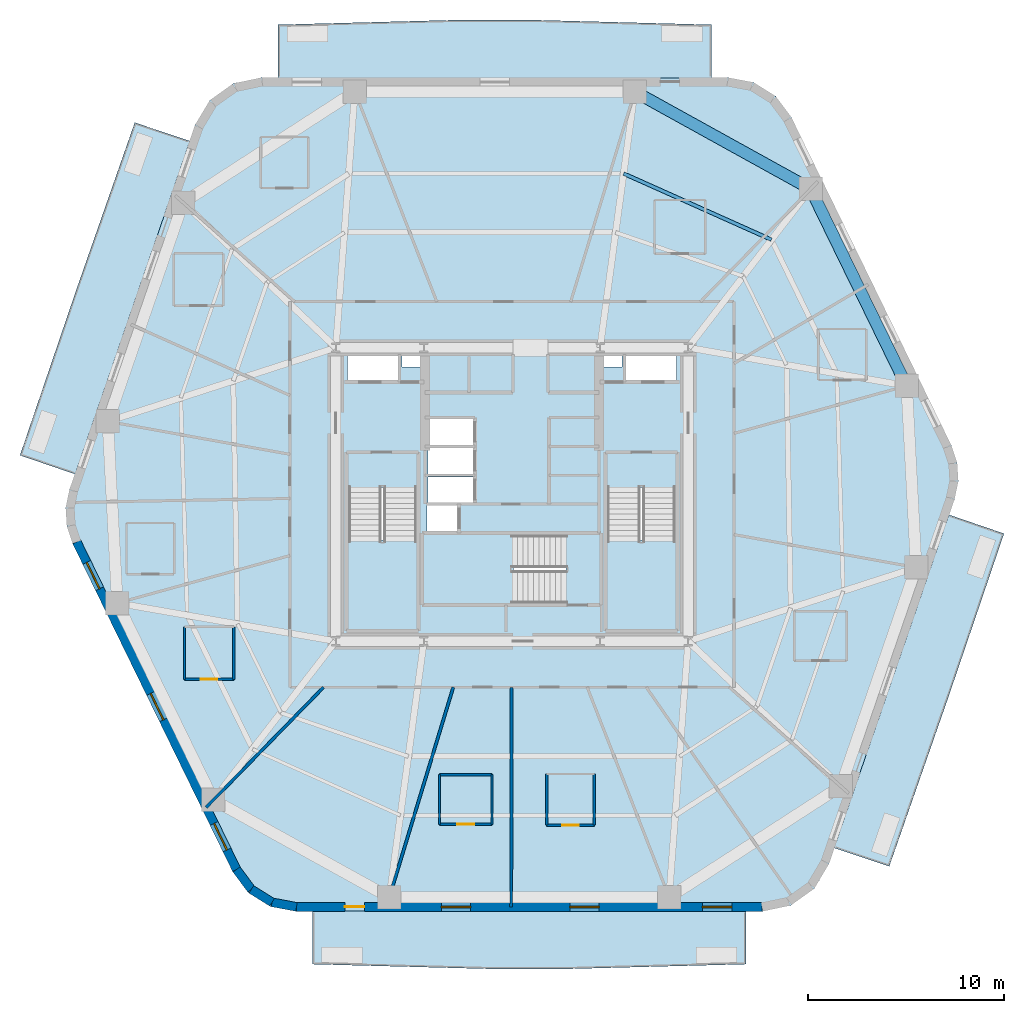
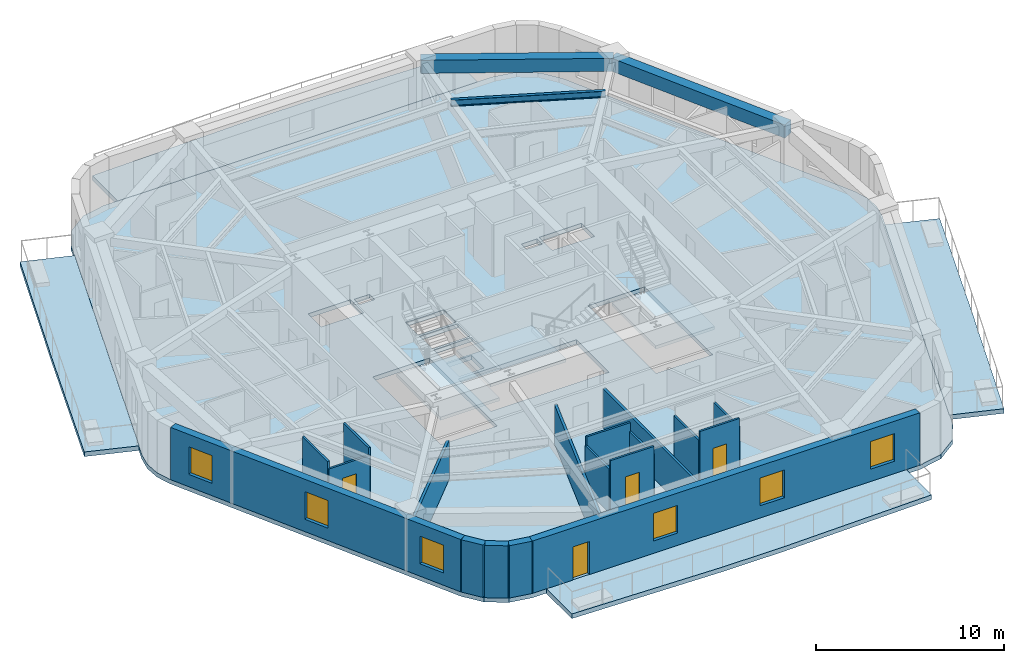
# One storey, part 2 of 8: 18 walls, 8 slabs, 6 windows, 4 doors, 3 beams, 10 openings, 3 elements without a shape of their own.
"""IFC4 building model written with IfcOpenShell, lengths in metres."""

from ifc_helpers import new_model, si_unit, direction, frame, frame_2d, origin, origin_2d, place, context, subcontext, project, spatial, polyline, rectangle, i_section, outline, extrude, material, layer, layer_set, material_profile, profile_set, type_object, element, fill, aggregate, save


model = new_model("IFC4")

# Units and contexts
model_context = context("Model", 3, precision=1e-05, world=origin(), true_north=direction((0.0, 1.0)))
body_context = subcontext(model_context, "Body", "Model", "MODEL_VIEW")
ifc_project = project(units=[si_unit("LENGTHUNIT", "METRE"), si_unit("AREAUNIT", "SQUARE_METRE"), si_unit("VOLUMEUNIT", "CUBIC_METRE"), si_unit("PLANEANGLEUNIT", "RADIAN"), si_unit("MASSUNIT", "GRAM", prefix="KILO")], contexts=[model_context])

# Site, building, storey
site_placement = place(None, origin())
site = spatial("IfcSite", under=ifc_project, at=site_placement, CompositionType="ELEMENT")
building_placement = place(site_placement, origin())
building = spatial("IfcBuilding", under=site, at=building_placement, Name="Kilnhurst Terrace Hotel", CompositionType="ELEMENT")
storey_placement = place(building_placement, frame((0.0, 0.0, 102.5)))
storey = spatial("IfcBuildingStorey", under=building, at=storey_placement, Name="L24", CompositionType="ELEMENT", Elevation=102.5)

# Beams
ifc_material_1 = material(Name="Concrete C50/60", Category="concrete")
ifc_material_profile_1 = material_profile(ifc_material_1, rectangle(XDim=0.60009765625, YDim=0.85009765625, at=origin_2d()), Name="RC600X850")
ifc_profile_set_1 = profile_set([ifc_material_profile_1], Name="Concrete C50/60")
beam_type_1 = type_object("IfcBeamType", Name="BM-SPN-600X850", PredefinedType="SPANDREL", material=ifc_profile_set_1)
beam_1_placement = place(storey_placement, frame((20.1640625, 5.549072265625, 2.97509765625), z_axis=(-0.438406012271, 0.89877704043, 0.0), x_axis=(-0.89877704043, -0.438406012271, 0.0)))
element("IfcBeam", 1, at=beam_1_placement, inside=storey, type_object=beam_type_1, Name="L24 Perimeter Spandrel Beam 5", PredefinedType="SPANDREL", context=body_context, shape_type="SweptSolid", body=[
    extrude(rectangle(XDim=0.60009765625, YDim=0.85009765625, at=origin_2d()), origin(), (0.0, 0.0, 1.0), 11.19287109375),
])
beam_2_placement = place(storey_placement, frame((15.257080078125, 15.60888671875, 2.97509765625), z_axis=(-0.875094010429, 0.483952965598, 0.0), x_axis=(-0.483952965598, -0.875094010429, 0.0)))
element("IfcBeam", 2, at=beam_2_placement, inside=storey, type_object=beam_type_1, Name="L24 Perimeter Spandrel Beam 6", PredefinedType="SPANDREL", context=body_context, shape_type="SweptSolid", body=[
    extrude(rectangle(XDim=0.60009765625, YDim=0.85009765625, at=origin_2d()), origin(), (0.0, 0.0, 1.0), 10.27197265625),
])
ifc_material_2 = material(Name="Steel ASTM A992 Grade 50", Category="steel")
ifc_material_profile_2 = material_profile(ifc_material_2, i_section(OverallWidth=0.180908203125, OverallDepth=0.417236328125, WebThickness=0.010986328125, FlangeThickness=0.018310546875, at=origin_2d()), Name="W16X57")
ifc_profile_set_2 = profile_set([ifc_material_profile_2], Name="Steel ASTM A992 Grade 50")
beam_type_2 = type_object("IfcBeamType", Name="JST-STL-W16X57", PredefinedType="JOIST", material=ifc_profile_set_2)
beam_3_placement = place(storey_placement, frame((13.2548828125, 13.01416015625, 3.19091796875), z_axis=(-0.912760935806, 0.408494154262, 0.0), x_axis=(-0.408494154262, -0.912760935806, 0.0)))
element("IfcBeam", 3, at=beam_3_placement, inside=storey, type_object=beam_type_2, Name="L24 Secondary Floor Steel Joist OUT.6", PredefinedType="JOIST", context=body_context, shape_type="SweptSolid", body=[
    extrude(i_section(OverallWidth=0.180908203125, OverallDepth=0.417236328125, WebThickness=0.010986328125, FlangeThickness=0.018310546875, at=origin_2d()), origin(), (0.0, 0.0, 1.0), 8.274658203125),
])

# Slabs
ifc_layer_1 = layer(ifc_material_1, 0.300048828125, Name="Concrete C50/60")
ifc_layer_set_1 = layer_set([ifc_layer_1], Name="Concrete C50/60")
slab_type_1 = type_object("IfcSlabType", Name="SLB-BAL-300", PredefinedType="FLOOR", material=ifc_layer_set_1)
slab_1_placement = place(storey_placement, frame((0.0, 0.0, -0.300048828125)))
element("IfcSlab", 4, at=slab_1_placement, inside=storey, type_object=slab_type_1, Name="L24 Cantilevered Planted Terrace Slab BAL-L1A", PredefinedType="FLOOR", context=body_context, shape_type="SweptSolid", body=[
    extrude(outline(polyline([(2.787841796875, -24.239990234375), (-1.027099609375, -24.239990234375), (-10.18310546875, -24.0), (-10.18310546875, -21.280029296875), (11.943603515625, -21.280029296875), (11.943603515625, -24.0), (2.787841796875, -24.239990234375)])), origin(), (0.0, 0.0, 1.0), 0.300048828125),
])
slab_2_placement = place(storey_placement, frame((0.0, 0.0, -0.300048828125)))
element("IfcSlab", 5, at=slab_2_placement, inside=storey, type_object=slab_type_1, Name="L24 Cantilevered Planted Terrace Slab BAL-L1B", PredefinedType="FLOOR", context=body_context, shape_type="SweptSolid", body=[
    extrude(outline(polyline([(19.273193359375, -19.0), (16.45751953125, -18.05615234375), (22.319091796875, -1.03466796875), (25.13623046875, -2.0), (22.233154296875, -10.52880859375), (19.273193359375, -19.0)])), origin(), (0.0, 0.0, 1.0), 0.300048828125),
])
slab_3_placement = place(storey_placement, frame((0.0, 0.0, -0.300048828125)))
element("IfcSlab", 6, at=slab_3_placement, inside=storey, type_object=slab_type_1, Name="L24 Cantilevered Planted Terrace Slab BAL-L2A", PredefinedType="FLOOR", context=body_context, shape_type="SweptSolid", body=[
    extrude(outline(polyline([(1.027099609375, 24.239990234375), (10.18310546875, 24.0), (10.18310546875, 21.280029296875), (-11.943603515625, 21.280029296875), (-11.943603515625, 24.0), (-2.787841796875, 24.239990234375), (1.027099609375, 24.239990234375)])), origin(), (0.0, 0.0, 1.0), 0.300048828125),
])
slab_4_placement = place(storey_placement, frame((0.0, 0.0, -0.300048828125)))
element("IfcSlab", 7, at=slab_4_placement, inside=storey, type_object=slab_type_1, Name="L24 Cantilevered Planted Terrace Slab BAL-L2B", PredefinedType="FLOOR", context=body_context, shape_type="SweptSolid", body=[
    extrude(outline(polyline([(-19.273193359375, 19.0), (-16.45751953125, 18.05615234375), (-22.319091796875, 1.03466796875), (-25.13623046875, 2.0), (-22.233154296875, 10.52880859375), (-19.273193359375, 19.0)])), origin(), (0.0, 0.0, 1.0), 0.300048828125),
])
ifc_layer_2 = layer(ifc_material_1, 0.280029296875, Name="Concrete C50/60")
ifc_layer_set_2 = layer_set([ifc_layer_2], Name="Concrete C50/60")
slab_type_2 = type_object("IfcSlabType", Name="SLB-FLR-280", PredefinedType="FLOOR", material=ifc_layer_set_2)
slab_5_placement = place(storey_placement, frame((0.0, 0.0, -0.280029296875)))
element("IfcSlab", 8, at=slab_5_placement, inside=storey, type_object=slab_type_2, Name="L24 Structural Floor Slab", PredefinedType="FLOOR", context=body_context, shape_type="SweptSolid", body=[
    extrude(outline(polyline([(-14.2685546875, -19.2783203125), (-13.472900390625, -20.34716796875), (-12.342529296875, -21.05322265625), (-11.032958984375, -21.300048828125), (12.793701171875, -21.300048828125), (14.23876953125, -20.997314453125), (15.44091796875, -20.139892578125), (16.197509765625, -18.872314453125), (22.614501953125, -0.238525390625), (22.8017578125, 0.6826171875), (22.744384765625, 1.62060546875), (22.4462890625, 2.51171875), (14.2685546875, 19.2783203125), (13.472900390625, 20.34716796875), (12.342529296875, 21.05322265625), (11.032958984375, 21.300048828125), (-12.793701171875, 21.300048828125), (-14.23876953125, 20.997314453125), (-15.44091796875, 20.139892578125), (-16.197509765625, 18.872314453125), (-22.614501953125, 0.238525390625), (-22.8017578125, -0.6826171875), (-22.744384765625, -1.62060546875), (-22.4462890625, -2.51171875), (-14.2685546875, -19.2783203125)]), holes=[polyline([(-8.35009765625, 0.35498046875), (-4.8798828125, 0.35498046875), (-4.8798828125, -6.89990234375), (-8.35009765625, -6.89990234375), (-8.35009765625, 0.35498046875)]), polyline([(-2.800048828125, -1.89990234375), (-4.35009765625, -1.89990234375), (-4.35009765625, -0.550048828125), (-2.800048828125, -0.550048828125), (-2.800048828125, -1.89990234375)]), polyline([(-1.949951171875, -0.429931640625), (-4.300048828125, -0.429931640625), (-4.300048828125, 0.89990234375), (-1.949951171875, 0.89990234375), (-1.949951171875, -0.429931640625)]), polyline([(-4.300048828125, 1.050048828125), (-4.300048828125, 2.3798828125), (-1.949951171875, 2.3798828125), (-1.949951171875, 1.050048828125), (-4.300048828125, 1.050048828125)]), polyline([(-8.39990234375, 5.75), (-8.39990234375, 7.14990234375), (-5.800048828125, 7.14990234375), (-5.800048828125, 5.75), (-8.39990234375, 5.75)]), polyline([(-4.659912109375, 6.52001953125), (-5.6201171875, 6.52001953125), (-5.6201171875, 7.080078125), (-4.659912109375, 7.080078125), (-4.659912109375, 6.52001953125)]), polyline([(2.7548828125, -5.550048828125), (-4.5, -5.550048828125), (-4.5, -2.080078125), (2.7548828125, -2.080078125), (2.7548828125, -5.550048828125)]), polyline([(8.35009765625, 0.35498046875), (8.35009765625, -6.89990234375), (4.8798828125, -6.89990234375), (4.8798828125, 0.35498046875), (8.35009765625, 0.35498046875)]), polyline([(-1.949951171875, 2.530029296875), (-4.300048828125, 2.530029296875), (-4.300048828125, 3.860107421875), (-1.949951171875, 3.860107421875), (-1.949951171875, 2.530029296875)]), polyline([(5.800048828125, 5.75), (5.800048828125, 7.14990234375), (8.39990234375, 7.14990234375), (8.39990234375, 5.75), (5.800048828125, 5.75)]), polyline([(4.659912109375, 6.52001953125), (4.659912109375, 7.080078125), (5.6201171875, 7.080078125), (5.6201171875, 6.52001953125), (4.659912109375, 6.52001953125)])]), origin(), (0.0, 0.0, 1.0), 0.280029296875),
])

# Stair, slab
stair_type = type_object("IfcStairType", Name="STR-CORE-1660", PredefinedType="HALF_TURN_STAIR", material=ifc_material_1)
stair_1_placement = place(storey_placement, origin())
stair_1 = element("IfcStair", 9, at=stair_1_placement, inside=storey, type_object=stair_type, Name="L24 ST-1", PredefinedType="HALF_TURN_STAIR")
ifc_layer_3 = layer(ifc_material_1, 0.199951171875, Name="Concrete C50/60")
ifc_layer_set_3 = layer_set([ifc_layer_3], Name="Concrete C50/60")
slab_type_3 = type_object("IfcSlabType", Name="SLB-ST-LND-200", PredefinedType="LANDING", material=ifc_layer_set_3)
slab_6_placement = place(storey_placement, frame((0.0, 0.0, 1.64990234375)))
slab_6 = element("IfcSlab", 10, at=slab_6_placement, type_object=slab_type_3, Name="ST-1 landing 1", PredefinedType="LANDING", context=body_context, shape_type="SweptSolid", body=[
    extrude(outline(polyline([(-8.429931640625, -2.330078125), (-4.800048828125, -2.330078125), (-4.800048828125, -6.97998046875), (-8.429931640625, -6.97998046875), (-8.429931640625, -2.330078125)])), origin(), (0.0, 0.0, 1.0), 0.2001953125),
])
aggregate(stair_1, [slab_6])

stair_2_placement = place(storey_placement, origin())
stair_2 = element("IfcStair", 11, at=stair_2_placement, inside=storey, type_object=stair_type, Name="L24 ST-2", PredefinedType="HALF_TURN_STAIR")
slab_7_placement = place(storey_placement, frame((0.0, 0.0, 1.64990234375)))
slab_7 = element("IfcSlab", 12, at=slab_7_placement, type_object=slab_type_3, Name="ST-2 landing 1", PredefinedType="LANDING", context=body_context, shape_type="SweptSolid", body=[
    extrude(outline(polyline([(4.800048828125, -2.330078125), (8.429931640625, -2.330078125), (8.429931640625, -6.97998046875), (4.800048828125, -6.97998046875), (4.800048828125, -2.330078125)])), origin(), (0.0, 0.0, 1.0), 0.2001953125),
])
aggregate(stair_2, [slab_7])

stair_3_placement = place(storey_placement, origin())
stair_3 = element("IfcStair", 13, at=stair_3_placement, inside=storey, type_object=stair_type, Name="L24 ST-3", PredefinedType="HALF_TURN_STAIR")
slab_8_placement = place(storey_placement, frame((0.0, 0.0, 1.64990234375)))
slab_8 = element("IfcSlab", 14, at=slab_8_placement, type_object=slab_type_3, Name="ST-3 landing 1", PredefinedType="LANDING", context=body_context, shape_type="SweptSolid", body=[
    extrude(outline(polyline([(0.070068359375, -2.0), (0.070068359375, -5.6298828125), (-4.580078125, -5.6298828125), (-4.580078125, -2.0), (0.070068359375, -2.0)])), origin(), (0.0, 0.0, 1.0), 0.2001953125),
])
aggregate(stair_3, [slab_8])

# Walls
ifc_material_3 = material(Name="Precast concrete C40/50", Category="concrete")
ifc_layer_4 = layer(ifc_material_3, 0.449951171875, Name="Precast concrete C40/50")
ifc_layer_set_4 = layer_set([ifc_layer_4], Name="Precast concrete C40/50")
wall_type_1 = type_object("IfcWallType", Name="WL-BRK-450", PredefinedType="SOLIDWALL", material=ifc_layer_set_4)
wall_1_placement = place(storey_placement, frame((-14.07568359375, -19.16064453125, 0.0), z_axis=(0.0, 0.0, 1.0), x_axis=(0.597226657159, -0.802072515412, 0.0)))
element("IfcWall", 15, at=wall_1_placement, inside=storey, type_object=wall_type_1, Name="L24 Rounded Corner Brick Wall C1.1", PredefinedType="SOLIDWALL", context=body_context, shape_type="SweptSolid", body=[
    extrude(rectangle(XDim=1.269287109375, YDim=0.449951171875, at=frame_2d((0.634765625, 0.0))), origin(), (0.0, 0.0, 1.0), 3.39990234375),
])
wall_2_placement = place(storey_placement, frame((-13.317626953125, -20.1787109375, 0.0), z_axis=(0.0, 0.0, 1.0), x_axis=(0.848031272749, -0.529946186362, 0.0)))
element("IfcWall", 16, at=wall_2_placement, inside=storey, type_object=wall_type_1, Name="L24 Rounded Corner Brick Wall C1.2", PredefinedType="SOLIDWALL", context=body_context, shape_type="SweptSolid", body=[
    extrude(rectangle(XDim=1.248046875, YDim=0.449951171875, at=frame_2d((0.6240234375, 0.0))), origin(), (0.0, 0.0, 1.0), 3.39990234375),
])
wall_3_placement = place(storey_placement, frame((-12.25927734375, -20.840087890625, 0.0), z_axis=(0.0, 0.0, 1.0), x_axis=(0.982730354425, -0.185043374624, 0.0)))
element("IfcWall", 17, at=wall_3_placement, inside=storey, type_object=wall_type_1, Name="L24 Rounded Corner Brick Wall C1.3", PredefinedType="SOLIDWALL", context=body_context, shape_type="SweptSolid", body=[
    extrude(rectangle(XDim=1.269287109375, YDim=0.449951171875, at=frame_2d((0.634765625, 0.0))), origin(), (0.0, 0.0, 1.0), 3.39990234375),
])

# Wall, openings, door, windows
wall_4_placement = place(storey_placement, frame((-11.011962890625, -21.074951171875, 0.0), z_axis=(0.0, 0.0, 1.0), x_axis=(1.0, 0.0, 0.0)))
wall_4 = element("IfcWall", 18, at=wall_4_placement, inside=storey, type_object=wall_type_1, Name="L24 Exterior Brick Facade Wall F1", PredefinedType="SOLIDWALL", context=body_context, shape_type="SweptSolid", body=[
    extrude(rectangle(XDim=23.782470703125, YDim=0.449951171875, at=frame_2d((11.89111328125, 0.0))), origin(), (0.0, 0.0, 1.0), 3.39990234375),
])
opening_1_placement = place(wall_4_placement, frame((2.472900390625, 0.0, 0.0)))
opening_1 = element("IfcOpeningElement", 19, at=opening_1_placement, cuts=wall_4, Name="Opening BD-1000", PredefinedType="OPENING", context=body_context, shape_type="SweptSolid", body=[
    extrude(rectangle(XDim=1.0, YDim=2.14990234375, at=frame_2d((0.5, 1.074951171875))), frame((0.0, 0.23486328125, 0.0), z_axis=(0.0, -1.0, 0.0), x_axis=(1.0, 0.0, 0.0)), (0.0, 0.0, 1.0), 0.469970703125),
])
opening_2_placement = place(wall_4_placement, frame((7.39794921875, 0.0, 0.800048828125)))
opening_2 = element("IfcOpeningElement", 20, at=opening_2_placement, cuts=wall_4, Name="Opening W-02", PredefinedType="OPENING", context=body_context, shape_type="SweptSolid", body=[
    extrude(rectangle(XDim=1.5, YDim=1.800048828125, at=frame_2d((0.75, 0.89990234375))), frame((0.0, 0.23486328125, 0.0), z_axis=(0.0, -1.0, 0.0), x_axis=(1.0, 0.0, 0.0)), (0.0, 0.0, 1.0), 0.469970703125),
])
opening_3_placement = place(wall_4_placement, frame((13.966064453125, 0.0, 0.800048828125)))
opening_3 = element("IfcOpeningElement", 21, at=opening_3_placement, cuts=wall_4, Name="Opening W-02", PredefinedType="OPENING", context=body_context, shape_type="SweptSolid", body=[
    extrude(rectangle(XDim=1.5, YDim=1.800048828125, at=frame_2d((0.75, 0.89990234375))), frame((0.0, 0.23486328125, 0.0), z_axis=(0.0, -1.0, 0.0), x_axis=(1.0, 0.0, 0.0)), (0.0, 0.0, 1.0), 0.469970703125),
])
opening_4_placement = place(wall_4_placement, frame((20.740966796875, 0.0, 0.800048828125)))
opening_4 = element("IfcOpeningElement", 22, at=opening_4_placement, cuts=wall_4, Name="Opening W-02", PredefinedType="OPENING", context=body_context, shape_type="SweptSolid", body=[
    extrude(rectangle(XDim=1.5, YDim=1.800048828125, at=frame_2d((0.75, 0.89990234375))), frame((0.0, 0.23486328125, 0.0), z_axis=(0.0, -1.0, 0.0), x_axis=(1.0, 0.0, 0.0)), (0.0, 0.0, 1.0), 0.469970703125),
])
ifc_material_4 = material(Name="Thermally Broken Bronze Aluminium Alloy 6063-T6 and Laminated Glass", Category="aluminium")
door_type_1 = type_object("IfcDoorType", Name="DR-EXT-BAL-1000", OperationType="NOTDEFINED", PredefinedType="DOOR", material=ifc_material_4)
door_1_placement = place(opening_1_placement, origin())
door_1 = element("IfcDoor", 23, at=door_1_placement, inside=storey, type_object=door_type_1, Name="L24 Planted Balcony Door BAL-L1A", OperationType="SINGLE_SWING_LEFT", OverallHeight=2.14990234375, OverallWidth=1.0, PredefinedType="DOOR", context=body_context, shape_type="SweptSolid", body=[
    extrude(rectangle(XDim=1.0, YDim=2.14990234375, at=frame_2d((0.5, 1.074951171875))), frame((0.0, 0.02490234375, 0.0), z_axis=(0.0, -1.0, 0.0), x_axis=(1.0, 0.0, 0.0)), (0.0, 0.0, 1.0), 0.050048828125),
])
fill(opening_1, door_1)
ifc_material_5 = material(Name="Thermally Broken Bronze Aluminium Alloy 6063-T6 and Low-E Glass", Category="aluminium")
window_type = type_object("IfcWindowType", Name="WIN-1500X1800", PartitioningType="SINGLE_PANEL", PredefinedType="WINDOW", material=ifc_material_5)
window_1_placement = place(opening_2_placement, origin())
window_1 = element("IfcWindow", 24, at=window_1_placement, inside=storey, type_object=window_type, Name="L24 Deep-Set Masonry Window F1.1", OverallHeight=1.800048828125, OverallWidth=1.5, PartitioningType="SINGLE_PANEL", PredefinedType="WINDOW", context=body_context, shape_type="SweptSolid", body=[
    extrude(rectangle(XDim=1.5, YDim=1.800048828125, at=frame_2d((0.75, 0.89990234375))), frame((0.0, 0.030029296875, 0.0), z_axis=(0.0, -1.0, 0.0), x_axis=(1.0, 0.0, 0.0)), (0.0, 0.0, 1.0), 0.06005859375),
])
fill(opening_2, window_1)
window_2_placement = place(opening_3_placement, origin())
window_2 = element("IfcWindow", 25, at=window_2_placement, inside=storey, type_object=window_type, Name="L24 Deep-Set Masonry Window F1.2", OverallHeight=1.800048828125, OverallWidth=1.5, PartitioningType="SINGLE_PANEL", PredefinedType="WINDOW", context=body_context, shape_type="SweptSolid", body=[
    extrude(rectangle(XDim=1.5, YDim=1.800048828125, at=frame_2d((0.75, 0.89990234375))), frame((0.0, 0.030029296875, 0.0), z_axis=(0.0, -1.0, 0.0), x_axis=(1.0, 0.0, 0.0)), (0.0, 0.0, 1.0), 0.06005859375),
])
fill(opening_3, window_2)
window_3_placement = place(opening_4_placement, origin())
window_3 = element("IfcWindow", 26, at=window_3_placement, inside=storey, type_object=window_type, Name="L24 Deep-Set Masonry Window F1.3", OverallHeight=1.800048828125, OverallWidth=1.5, PartitioningType="SINGLE_PANEL", PredefinedType="WINDOW", context=body_context, shape_type="SweptSolid", body=[
    extrude(rectangle(XDim=1.5, YDim=1.800048828125, at=frame_2d((0.75, 0.89990234375))), frame((0.0, 0.030029296875, 0.0), z_axis=(0.0, -1.0, 0.0), x_axis=(1.0, 0.0, 0.0)), (0.0, 0.0, 1.0), 0.06005859375),
])
fill(opening_4, window_3)

# Wall, openings, windows
wall_5_placement = place(storey_placement, frame((-22.237548828125, -2.426513671875, 0.0), z_axis=(0.0, 0.0, 1.0), x_axis=(0.438374803278, -0.898792262901, 0.0)))
wall_5 = element("IfcWall", 27, at=wall_5_placement, inside=storey, type_object=wall_type_1, Name="L24 Exterior Brick Facade Wall F6", PredefinedType="SOLIDWALL", context=body_context, shape_type="SweptSolid", body=[
    extrude(rectangle(XDim=18.618408203125, YDim=0.449951171875, at=frame_2d((9.30908203125, 0.0))), origin(), (0.0, 0.0, 1.0), 3.39990234375),
])
opening_5_placement = place(wall_5_placement, frame((1.1630859375, 0.0, 0.800048828125)))
opening_5 = element("IfcOpeningElement", 28, at=opening_5_placement, cuts=wall_5, Name="Opening W-02", PredefinedType="OPENING", context=body_context, shape_type="SweptSolid", body=[
    extrude(rectangle(XDim=1.5, YDim=1.800048828125, at=frame_2d((0.75, 0.89990234375))), frame((0.0, 0.23486328125, 0.0), z_axis=(0.0, -1.0, 0.0), x_axis=(1.0, 0.0, 0.0)), (0.0, 0.0, 1.0), 0.469970703125),
])
opening_6_placement = place(wall_5_placement, frame((8.610107421875, 0.0, 0.800048828125)))
opening_6 = element("IfcOpeningElement", 29, at=opening_6_placement, cuts=wall_5, Name="Opening W-02", PredefinedType="OPENING", context=body_context, shape_type="SweptSolid", body=[
    extrude(rectangle(XDim=1.5, YDim=1.800048828125, at=frame_2d((0.75, 0.89990234375))), frame((0.0, 0.23486328125, 0.0), z_axis=(0.0, -1.0, 0.0), x_axis=(1.0, 0.0, 0.0)), (0.0, 0.0, 1.0), 0.469970703125),
])
opening_7_placement = place(wall_5_placement, frame((16.006103515625, 0.0, 0.800048828125)))
opening_7 = element("IfcOpeningElement", 30, at=opening_7_placement, cuts=wall_5, Name="Opening W-02", PredefinedType="OPENING", context=body_context, shape_type="SweptSolid", body=[
    extrude(rectangle(XDim=1.5, YDim=1.800048828125, at=frame_2d((0.75, 0.89990234375))), frame((0.0, 0.23486328125, 0.0), z_axis=(0.0, -1.0, 0.0), x_axis=(1.0, 0.0, 0.0)), (0.0, 0.0, 1.0), 0.469970703125),
])
window_4_placement = place(opening_5_placement, origin())
window_4 = element("IfcWindow", 31, at=window_4_placement, inside=storey, type_object=window_type, Name="L24 Deep-Set Masonry Window F6.1", OverallHeight=1.800048828125, OverallWidth=1.5, PartitioningType="SINGLE_PANEL", PredefinedType="WINDOW", context=body_context, shape_type="SweptSolid", body=[
    extrude(rectangle(XDim=1.5, YDim=1.800048828125, at=frame_2d((0.75, 0.89990234375))), frame((0.0, 0.030029296875, 0.0), z_axis=(0.0, -1.0, 0.0), x_axis=(1.0, 0.0, 0.0)), (0.0, 0.0, 1.0), 0.06005859375),
])
fill(opening_5, window_4)
window_5_placement = place(opening_6_placement, origin())
window_5 = element("IfcWindow", 32, at=window_5_placement, inside=storey, type_object=window_type, Name="L24 Deep-Set Masonry Window F6.2", OverallHeight=1.800048828125, OverallWidth=1.5, PartitioningType="SINGLE_PANEL", PredefinedType="WINDOW", context=body_context, shape_type="SweptSolid", body=[
    extrude(rectangle(XDim=1.5, YDim=1.800048828125, at=frame_2d((0.75, 0.89990234375))), frame((0.0, 0.030029296875, 0.0), z_axis=(0.0, -1.0, 0.0), x_axis=(1.0, 0.0, 0.0)), (0.0, 0.0, 1.0), 0.06005859375),
])
fill(opening_6, window_5)
window_6_placement = place(opening_7_placement, origin())
window_6 = element("IfcWindow", 33, at=window_6_placement, inside=storey, type_object=window_type, Name="L24 Deep-Set Masonry Window F6.3", OverallHeight=1.800048828125, OverallWidth=1.5, PartitioningType="SINGLE_PANEL", PredefinedType="WINDOW", context=body_context, shape_type="SweptSolid", body=[
    extrude(rectangle(XDim=1.5, YDim=1.800048828125, at=frame_2d((0.75, 0.89990234375))), frame((0.0, 0.030029296875, 0.0), z_axis=(0.0, -1.0, 0.0), x_axis=(1.0, 0.0, 0.0)), (0.0, 0.0, 1.0), 0.06005859375),
])
fill(opening_7, window_6)

# Walls
ifc_material_6 = material(Name="STC-58 Acoustic Twin-Frame Guestroom Demising Partition")
ifc_layer_5 = layer(ifc_material_6, 0.14990234375, Name="STC-58 Acoustic Twin-Frame Guestroom Demising Partition")
ifc_layer_set_5 = layer_set([ifc_layer_5], Name="STC-58 Acoustic Twin-Frame Guestroom Demising Partition")
wall_type_2 = type_object("IfcWallType", Name="WL-DEM-150", PredefinedType="PARTITIONING", material=ifc_layer_set_5)
wall_6_placement = place(storey_placement, frame((-9.6279296875, -9.85009765625, 0.0), z_axis=(0.0, 0.0, 1.0), x_axis=(-0.698992824326, -0.715128681805, 0.0)))
element("IfcWall", 34, at=wall_6_placement, inside=storey, type_object=wall_type_2, Name="L24 Interior Wall WL-L24-DEM-COL08-11-1", PredefinedType="PARTITIONING", context=body_context, shape_type="SweptSolid", body=[
    extrude(rectangle(XDim=8.578857421875, YDim=0.14990234375, at=frame_2d((4.28955078125, 0.0))), origin(), (0.0, 0.0, 1.0), 2.5400390625),
])
wall_7_placement = place(storey_placement, frame((-3.0, -9.85009765625, 0.0), z_axis=(0.0, 0.0, 1.0), x_axis=(-0.291352035382, -0.95661590593, 0.0)))
element("IfcWall", 35, at=wall_7_placement, inside=storey, type_object=wall_type_2, Name="L24 Interior Wall WL-L24-DEM-COL09-12-1", PredefinedType="PARTITIONING", context=body_context, shape_type="SweptSolid", body=[
    extrude(rectangle(XDim=11.73388671875, YDim=0.14990234375, at=frame_2d((5.866943359375, 0.0))), origin(), (0.0, 0.0, 1.0), 2.5400390625),
])
wall_8_placement = place(storey_placement, frame((-0.018798828125, -9.85009765625, 0.0), z_axis=(0.0, 0.0, 1.0), x_axis=(-0.001913996973, -0.999998168306, 0.0)))
element("IfcWall", 36, at=wall_8_placement, inside=storey, type_object=wall_type_2, Name="L24 Interior Wall WL-L24-DEM-MID09-13-1", PredefinedType="PARTITIONING", context=body_context, shape_type="SweptSolid", body=[
    extrude(rectangle(XDim=11.224853515625, YDim=0.14990234375, at=frame_2d((5.6123046875, 0.0))), origin(), (0.0, 0.0, 1.0), 2.5400390625),
])

# Wall, opening, door
ifc_material_7 = material(Name="120 mm Moisture-Resistant Tile-Backed Bathroom Partition")
ifc_layer_6 = layer(ifc_material_7, 0.1201171875, Name="120 mm Moisture-Resistant Tile-Backed Bathroom Partition")
ifc_layer_set_6 = layer_set([ifc_layer_6], Name="120 mm Moisture-Resistant Tile-Backed Bathroom Partition")
wall_type_3 = type_object("IfcWallType", Name="WL-PART-120", PredefinedType="PARTITIONING", material=ifc_layer_set_6)
wall_9_placement = place(storey_placement, frame((-16.735107421875, -9.445068359375, 0.0), z_axis=(0.0, 0.0, 1.0), x_axis=(1.0, 0.0, 0.0)))
wall_9 = element("IfcWall", 37, at=wall_9_placement, inside=storey, type_object=wall_type_3, Name="L24 Interior Wall WL-L24-BTH-10-1", PredefinedType="PARTITIONING", context=body_context, shape_type="SweptSolid", body=[
    extrude(rectangle(XDim=2.52001953125, YDim=0.1201171875, at=frame_2d((1.260009765625, 0.0))), origin(), (0.0, 0.0, 1.0), 2.926513671875),
])
opening_8_placement = place(wall_9_placement, frame((0.8349609375, 0.0, 0.0)))
opening_8 = element("IfcOpeningElement", 38, at=opening_8_placement, cuts=wall_9, Name="Opening D-08A", PredefinedType="OPENING", context=body_context, shape_type="SweptSolid", body=[
    extrude(rectangle(XDim=0.85009765625, YDim=2.030029296875, at=frame_2d((0.425048828125, 1.01513671875))), frame((0.0, 0.070068359375, 0.0), z_axis=(0.0, -1.0, 0.0), x_axis=(1.0, 0.0, 0.0)), (0.0, 0.0, 1.0), 0.14013671875),
])
ifc_material_8 = material(Name="Moisture-Resistant Lacquered En-suite Bathroom Door")
door_type_2 = type_object("IfcDoorType", Name="DR-INT-850", OperationType="NOTDEFINED", PredefinedType="DOOR", material=ifc_material_8)
door_2_placement = place(opening_8_placement, origin())
door_2 = element("IfcDoor", 39, at=door_2_placement, inside=storey, type_object=door_type_2, Name="L24 En-suite Bathroom Door 10", OperationType="SINGLE_SWING_LEFT", OverallHeight=2.030029296875, OverallWidth=0.85009765625, PredefinedType="DOOR", context=body_context, shape_type="SweptSolid", body=[
    extrude(rectangle(XDim=0.85009765625, YDim=2.030029296875, at=frame_2d((0.425048828125, 1.01513671875))), frame((0.0, 0.02490234375, 0.0), z_axis=(0.0, -1.0, 0.0), x_axis=(1.0, 0.0, 0.0)), (0.0, 0.0, 1.0), 0.050048828125),
])
fill(opening_8, door_2)

# Walls
for number, where, z_axis, x_axis, name in (
    (40, (-14.215087890625, -9.445068359375, 0.0), (0.0, 0.0, 1.0), (0.0, 1.0, 0.0), "L24 Interior Wall WL-L24-BTH-10-2"),
    (41, (-16.735107421875, -6.764892578125, 0.0), (0.0, 0.0, 1.0), (0.0, -1.0, 0.0), "L24 Interior Wall WL-L24-BTH-10-4"),
):
    element("IfcWall", number, at=place(storey_placement, frame(where, z_axis=z_axis, x_axis=x_axis)), inside=storey, type_object=wall_type_3, Name=name, PredefinedType="PARTITIONING", context=body_context, shape_type="SweptSolid", body=[
        extrude(rectangle(XDim=2.68017578125, YDim=0.1201171875, at=frame_2d((1.340087890625, 0.0))), origin(), (0.0, 0.0, 1.0), 3.39990234375),
    ])

# Wall, opening, door
wall_10_placement = place(storey_placement, frame((-3.705078125, -16.85693359375, 0.0), z_axis=(0.0, 0.0, 1.0), x_axis=(1.0, 0.0, 0.0)))
wall_10 = element("IfcWall", 42, at=wall_10_placement, inside=storey, type_object=wall_type_3, Name="L24 Interior Wall WL-L24-BTH-12-1", PredefinedType="PARTITIONING", context=body_context, shape_type="SweptSolid", body=[
    extrude(rectangle(XDim=2.68017578125, YDim=0.1201171875, at=frame_2d((1.340087890625, 0.0))), origin(), (0.0, 0.0, 1.0), 3.39990234375),
])
opening_9_placement = place(wall_10_placement, frame((0.9150390625, 0.0, 0.0)))
opening_9 = element("IfcOpeningElement", 43, at=opening_9_placement, cuts=wall_10, Name="Opening D-08A", PredefinedType="OPENING", context=body_context, shape_type="SweptSolid", body=[
    extrude(rectangle(XDim=0.85009765625, YDim=2.030029296875, at=frame_2d((0.425048828125, 1.01513671875))), frame((0.0, 0.070068359375, 0.0), z_axis=(0.0, -1.0, 0.0), x_axis=(1.0, 0.0, 0.0)), (0.0, 0.0, 1.0), 0.14013671875),
])
door_3_placement = place(opening_9_placement, origin())
door_3 = element("IfcDoor", 44, at=door_3_placement, inside=storey, type_object=door_type_2, Name="L24 En-suite Bathroom Door 12", OperationType="SINGLE_SWING_LEFT", OverallHeight=2.030029296875, OverallWidth=0.85009765625, PredefinedType="DOOR", context=body_context, shape_type="SweptSolid", body=[
    extrude(rectangle(XDim=0.85009765625, YDim=2.030029296875, at=frame_2d((0.425048828125, 1.01513671875))), frame((0.0, 0.02490234375, 0.0), z_axis=(0.0, -1.0, 0.0), x_axis=(1.0, 0.0, 0.0)), (0.0, 0.0, 1.0), 0.050048828125),
])
fill(opening_9, door_3)

# Walls
wall_11_placement = place(storey_placement, frame((-1.02490234375, -16.85693359375, 0.0), z_axis=(0.0, 0.0, 1.0), x_axis=(0.0, 1.0, 0.0)))
element("IfcWall", 45, at=wall_11_placement, inside=storey, type_object=wall_type_3, Name="L24 Interior Wall WL-L24-BTH-12-2", PredefinedType="PARTITIONING", context=body_context, shape_type="SweptSolid", body=[
    extrude(rectangle(XDim=2.5400390625, YDim=0.1201171875, at=frame_2d((1.27001953125, 0.0))), origin(), (0.0, 0.0, 1.0), 2.84033203125),
])
wall_12_placement = place(storey_placement, frame((-1.02490234375, -14.31689453125, 0.0), z_axis=(0.0, 0.0, 1.0), x_axis=(-1.0, 0.0, 0.0)))
element("IfcWall", 46, at=wall_12_placement, inside=storey, type_object=wall_type_3, Name="L24 Interior Wall WL-L24-BTH-12-3", PredefinedType="PARTITIONING", context=body_context, shape_type="SweptSolid", body=[
    extrude(rectangle(XDim=2.68017578125, YDim=0.1201171875, at=frame_2d((1.340087890625, 0.0))), origin(), (0.0, 0.0, 1.0), 3.39990234375),
])
wall_13_placement = place(storey_placement, frame((-3.705078125, -14.31689453125, 0.0), z_axis=(0.0, 0.0, 1.0), x_axis=(0.0, -1.0, 0.0)))
element("IfcWall", 47, at=wall_13_placement, inside=storey, type_object=wall_type_3, Name="L24 Interior Wall WL-L24-BTH-12-4", PredefinedType="PARTITIONING", context=body_context, shape_type="SweptSolid", body=[
    extrude(rectangle(XDim=2.5400390625, YDim=0.1201171875, at=frame_2d((1.27001953125, 0.0))), origin(), (0.0, 0.0, 1.0), 2.84033203125),
])

# Wall, opening, door
wall_14_placement = place(storey_placement, frame((1.76708984375, -16.89208984375, 0.0), z_axis=(0.0, 0.0, 1.0), x_axis=(1.0, 0.0, 0.0)))
wall_14 = element("IfcWall", 48, at=wall_14_placement, inside=storey, type_object=wall_type_3, Name="L24 Interior Wall WL-L24-BTH-13-1", PredefinedType="PARTITIONING", context=body_context, shape_type="SweptSolid", body=[
    extrude(rectangle(XDim=2.43994140625, YDim=0.1201171875, at=frame_2d((1.219970703125, 0.0))), origin(), (0.0, 0.0, 1.0), 3.39990234375),
])
opening_10_placement = place(wall_14_placement, frame((0.794921875, 0.0, 0.0)))
opening_10 = element("IfcOpeningElement", 49, at=opening_10_placement, cuts=wall_14, Name="Opening D-08A", PredefinedType="OPENING", context=body_context, shape_type="SweptSolid", body=[
    extrude(rectangle(XDim=0.85009765625, YDim=2.030029296875, at=frame_2d((0.425048828125, 1.01513671875))), frame((0.0, 0.070068359375, 0.0), z_axis=(0.0, -1.0, 0.0), x_axis=(1.0, 0.0, 0.0)), (0.0, 0.0, 1.0), 0.14013671875),
])
door_4_placement = place(opening_10_placement, origin())
door_4 = element("IfcDoor", 50, at=door_4_placement, inside=storey, type_object=door_type_2, Name="L24 En-suite Bathroom Door 13", OperationType="SINGLE_SWING_RIGHT", OverallHeight=2.030029296875, OverallWidth=0.85009765625, PredefinedType="DOOR", context=body_context, shape_type="SweptSolid", body=[
    extrude(rectangle(XDim=0.85009765625, YDim=2.030029296875, at=frame_2d((0.425048828125, 1.01513671875))), frame((0.0, 0.02490234375, 0.0), z_axis=(0.0, -1.0, 0.0), x_axis=(1.0, 0.0, 0.0)), (0.0, 0.0, 1.0), 0.050048828125),
])
fill(opening_10, door_4)

# Walls
for number, where, z_axis, x_axis, name in (
    (51, (4.20703125, -16.89208984375, 0.0), (0.0, 0.0, 1.0), (0.0, 1.0, 0.0), "L24 Interior Wall WL-L24-BTH-13-2"),
    (52, (1.76708984375, -14.281982421875, 0.0), (0.0, 0.0, 1.0), (0.0, -1.0, 0.0), "L24 Interior Wall WL-L24-BTH-13-4"),
):
    element("IfcWall", number, at=place(storey_placement, frame(where, z_axis=z_axis, x_axis=x_axis)), inside=storey, type_object=wall_type_3, Name=name, PredefinedType="PARTITIONING", context=body_context, shape_type="SweptSolid", body=[
        extrude(rectangle(XDim=2.610107421875, YDim=0.1201171875, at=frame_2d((1.30517578125, 0.0))), origin(), (0.0, 0.0, 1.0), 2.84033203125),
    ])

save(model, "model.ifc")
